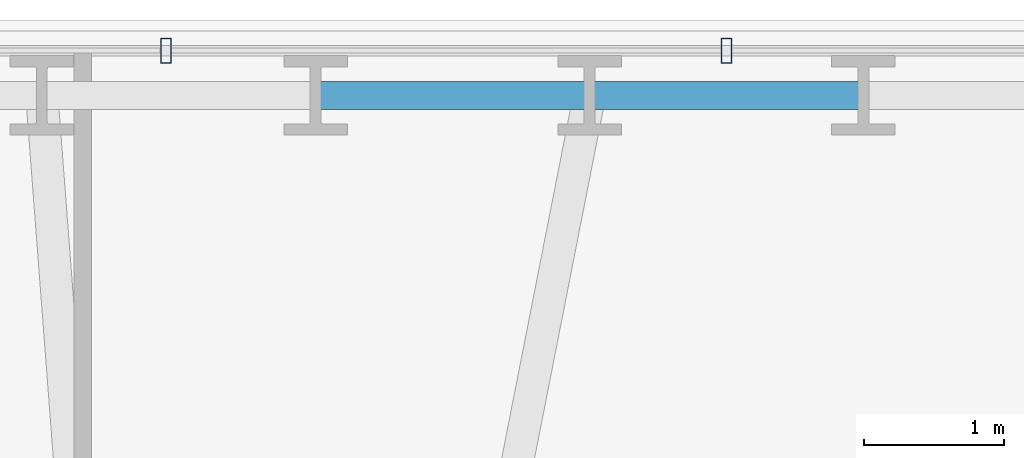
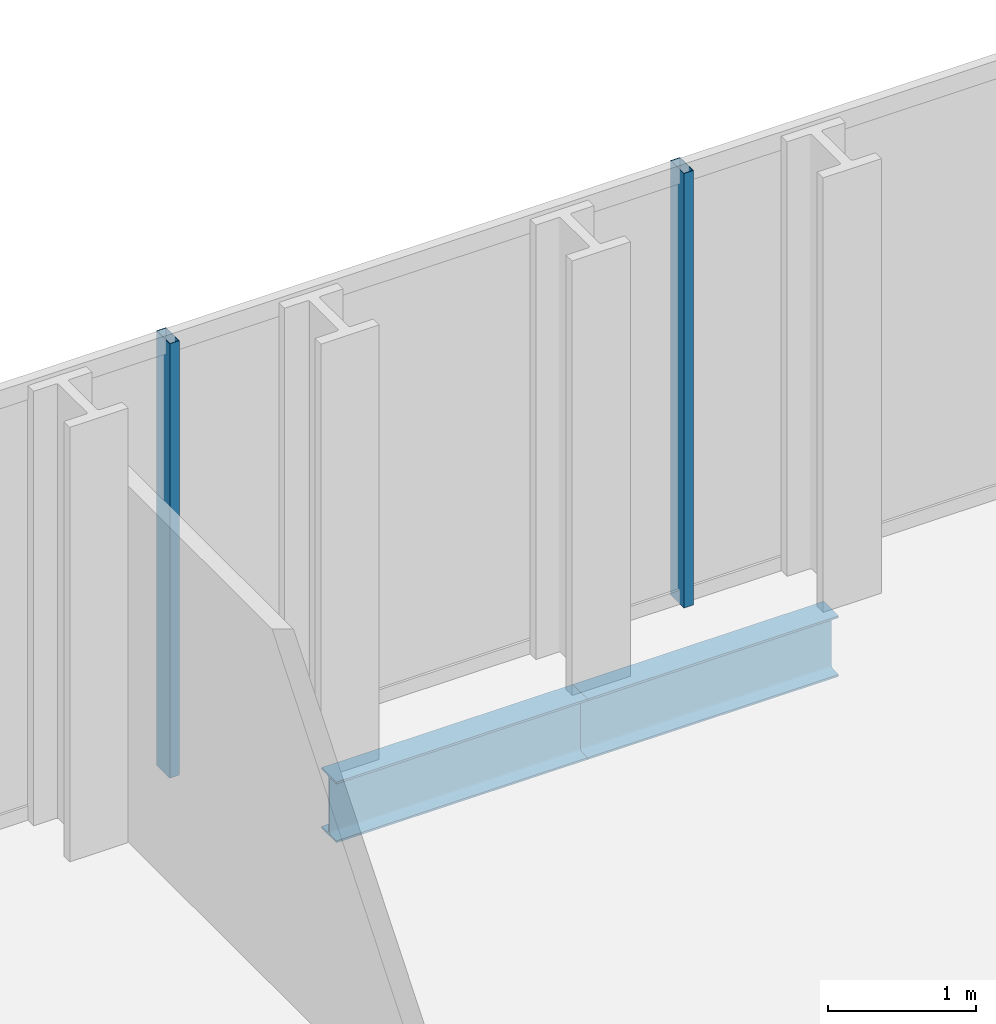
# One storey, part 22 of 32: 2 beams, 2 members, 1 element without a shape of its own.
"""IFC4 building model written with IfcOpenShell, lengths in metres."""

from ifc_helpers import new_model, si_unit, direction, frame, origin, origin_2d, place, context, subcontext, project, spatial, hollow_rectangle, i_section, extrude, material, layer, layer_set, material_profile, profile_set, type_object, element, aggregate, save


model = new_model("IFC4")

# Units and contexts
model_context = context("Model", 3, precision=1e-05, world=origin(), true_north=direction((0.0, 1.0)))
body_context = subcontext(model_context, "Body", "Model", "MODEL_VIEW")
ifc_project = project(units=[si_unit("LENGTHUNIT", "METRE"), si_unit("AREAUNIT", "SQUARE_METRE"), si_unit("VOLUMEUNIT", "CUBIC_METRE"), si_unit("PLANEANGLEUNIT", "RADIAN"), si_unit("MASSUNIT", "GRAM", prefix="KILO")], contexts=[model_context])

# Site, building, storey
site_placement = place(None, origin())
site = spatial("IfcSite", under=ifc_project, at=site_placement, CompositionType="ELEMENT")
building_placement = place(site_placement, origin())
building = spatial("IfcBuilding", under=site, at=building_placement, Name="Ndaravel Arena Tower", CompositionType="ELEMENT")
storey_placement = place(building_placement, frame((0.0, 0.0, 47.39990234375)))
storey = spatial("IfcBuildingStorey", under=building, at=storey_placement, Name="L09", CompositionType="ELEMENT", Elevation=47.39990234375)

# Beams
ifc_material_1 = material(Name="Steel S355", Category="steel")
ifc_material_profile_1 = material_profile(ifc_material_1, i_section(OverallWidth=0.199951171875, OverallDepth=0.5, WebThickness=0.01025390625, FlangeThickness=0.01611328125, FilletRadius=0.02099609375, at=origin_2d()), Name="IPE 500")
ifc_profile_set_1 = profile_set([ifc_material_profile_1], Name="Steel S355")
beam_type = type_object("IfcBeamType", Name="BM-SPAN-IPE500", PredefinedType="SPANDREL", material=ifc_profile_set_1)
beam_1_placement = place(storey_placement, frame((42.978515625, 45.531494140625, -0.469970703125), z_axis=(-1.0, 0.0, 0.0), x_axis=(0.0, -1.0, 0.0)))
element("IfcBeam", 1, at=beam_1_placement, inside=storey, type_object=beam_type, Name="L09 Perimeter Spandrel Beam SP-14", PredefinedType="SPANDREL", context=body_context, shape_type="SweptSolid", body=[
    extrude(i_section(OverallWidth=0.199951171875, OverallDepth=0.5, WebThickness=0.01025390625, FlangeThickness=0.01611328125, FilletRadius=0.02099609375, at=origin_2d()), origin(), (0.0, 0.0, 1.0), 1.95703125),
])
beam_2_placement = place(storey_placement, frame((41.021484375, 45.531494140625, -0.469970703125), z_axis=(-1.0, 0.0, 0.0), x_axis=(0.0, -1.0, 0.0)))
element("IfcBeam", 2, at=beam_2_placement, inside=storey, type_object=beam_type, Name="L09 Perimeter Spandrel Beam SP-15", PredefinedType="SPANDREL", context=body_context, shape_type="SweptSolid", body=[
    extrude(i_section(OverallWidth=0.199951171875, OverallDepth=0.5, WebThickness=0.01025390625, FlangeThickness=0.01611328125, FilletRadius=0.02099609375, at=origin_2d()), origin(), (0.0, 0.0, 1.0), 1.957275390625),
])

# Curtain wall, members
ifc_material_2 = material(Name="Aluminium", Category="aluminium")
ifc_layer = layer(ifc_material_2, 0.179931640625)
ifc_layer_set = layer_set([ifc_layer], Name="Aluminium")
curtain_wall_type = type_object("IfcCurtainWallType", Name="CW-SYS-01", PredefinedType="NOTDEFINED", material=ifc_layer_set)
curtain_wall_placement = place(storey_placement, origin())
curtain_wall = element("IfcCurtainWall", 3, at=curtain_wall_placement, inside=storey, type_object=curtain_wall_type, Name="L09 Faceted Crystal Curtain Wall CW-L09-E04", PredefinedType="NOTDEFINED")
ifc_material_3 = material(Name="Aluminium", Category="aluminium")
ifc_material_profile_2 = material_profile(ifc_material_3, hollow_rectangle(XDim=0.074951171875, YDim=0.179931640625, WallThickness=0.00390625, at=origin_2d()), Name="CW MULLION 75x180x4")
ifc_profile_set_2 = profile_set([ifc_material_profile_2], Name="Aluminium")
member_type = type_object("IfcMemberType", Name="MEM-CW-MUL180", PredefinedType="MULLION", material=ifc_profile_set_2)
member_1_placement = place(storey_placement, frame((42.0, 45.851318359375, 0.0), z_axis=(0.0, 0.0, 1.0), x_axis=(-1.0, 0.0, 0.0)))
member_1 = element("IfcMember", 4, at=member_1_placement, type_object=member_type, Name="CW-L09-E04 Mullion 02", PredefinedType="MULLION", context=body_context, shape_type="SweptSolid", body=[
    extrude(hollow_rectangle(XDim=0.074951171875, YDim=0.179931640625, WallThickness=0.00390625, at=origin_2d()), origin(), (0.0, 0.0, 1.0), 3.580078125),
])
member_2_placement = place(storey_placement, frame((37.993408203125, 45.851318359375, 0.0), z_axis=(0.0, 0.0, 1.0), x_axis=(-1.0, 0.0, 0.0)))
member_2 = element("IfcMember", 5, at=member_2_placement, type_object=member_type, Name="CW-L09-E04 Mullion 03", PredefinedType="MULLION", context=body_context, shape_type="SweptSolid", body=[
    extrude(hollow_rectangle(XDim=0.074951171875, YDim=0.179931640625, WallThickness=0.00390625, at=origin_2d()), origin(), (0.0, 0.0, 1.0), 3.580078125),
])
aggregate(curtain_wall, [member_1, member_2])

save(model, "model.ifc")
